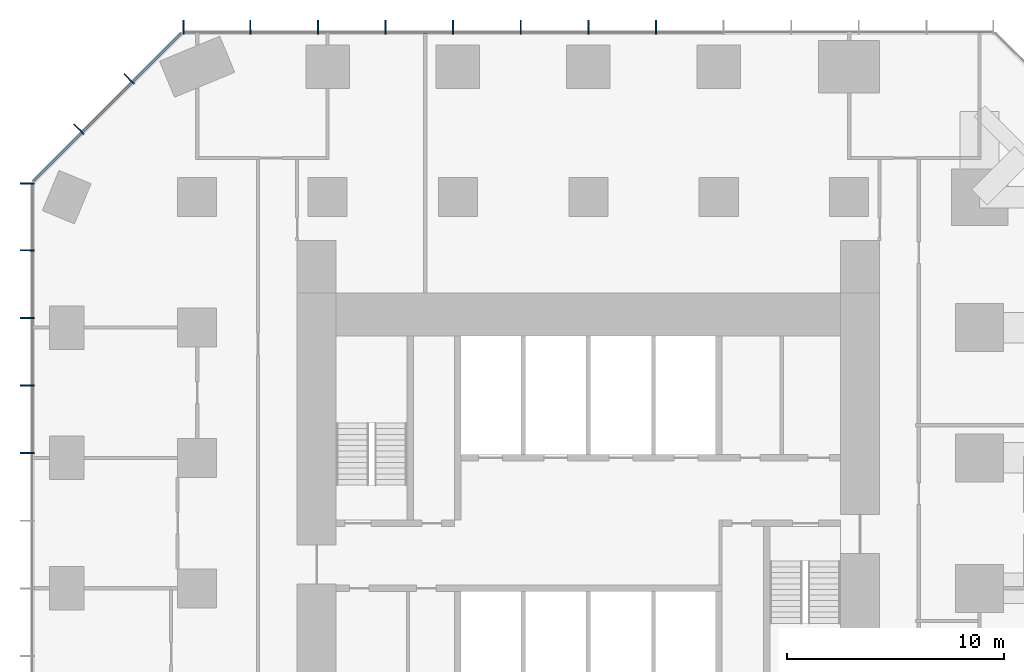
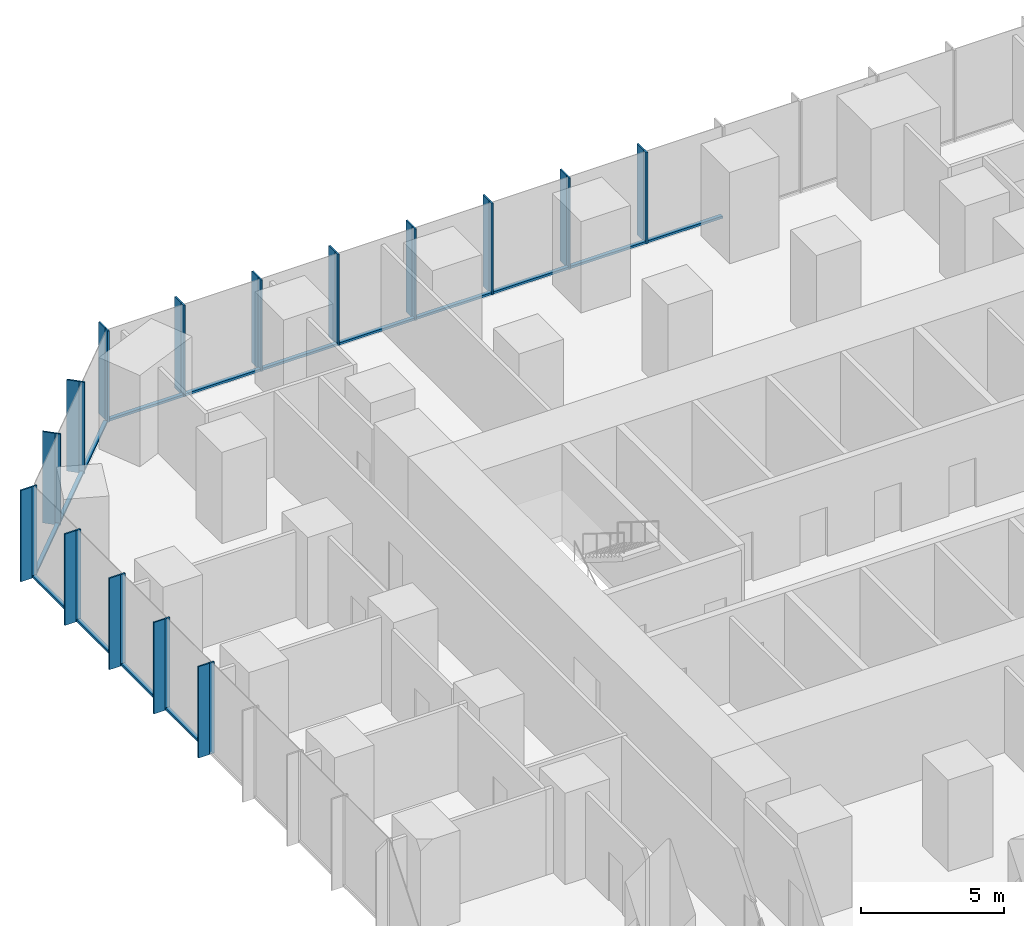
# One storey, part 5 of 12: 45 members, 3 elements without a shape of their own.
"""IFC4 building model written with IfcOpenShell, lengths in metres."""

from ifc_helpers import new_model, si_unit, direction, frame, origin, origin_2d, place, context, subcontext, project, spatial, rectangle, extrude, material, layer, layer_set, material_profile, profile_set, type_object, element, aggregate, save


model = new_model("IFC4")

# Units and contexts
model_context = context("Model", 3, precision=1e-05, world=origin(), true_north=direction((0.0, 1.0)))
body_context = subcontext(model_context, "Body", "Model", "MODEL_VIEW")
ifc_project = project(units=[si_unit("LENGTHUNIT", "METRE"), si_unit("AREAUNIT", "SQUARE_METRE"), si_unit("VOLUMEUNIT", "CUBIC_METRE"), si_unit("PLANEANGLEUNIT", "RADIAN"), si_unit("MASSUNIT", "GRAM", prefix="KILO")], contexts=[model_context])

# Site, building, storey
site_placement = place(None, origin())
site = spatial("IfcSite", under=ifc_project, at=site_placement, CompositionType="ELEMENT")
building_placement = place(site_placement, origin())
building = spatial("IfcBuilding", under=site, at=building_placement, Name="Highveld Stack Headquarters", CompositionType="ELEMENT")
storey_placement = place(building_placement, frame((0.0, 0.0, 57.199951171875)))
storey = spatial("IfcBuildingStorey", under=building, at=storey_placement, Name="L13", CompositionType="ELEMENT", Elevation=57.199951171875)

# Curtain wall, members
ifc_material_1 = material(Name="Aluminium bronze anodised", Category="aluminium")
ifc_layer_1 = layer(ifc_material_1, 0.199951171875)
ifc_layer_set_1 = layer_set([ifc_layer_1], Name="Aluminium bronze anodised")
curtain_wall_type_1 = type_object("IfcCurtainWallType", Name="CW1 TOWER UNITISED CURTAIN WALL", PredefinedType="NOTDEFINED", material=ifc_layer_set_1)
curtain_wall_1_placement = place(storey_placement, origin())
curtain_wall_1 = element("IfcCurtainWall", 1, at=curtain_wall_1_placement, inside=storey, type_object=curtain_wall_type_1, Name="Curtain wall CW1 L13 N", PredefinedType="NOTDEFINED")
ifc_material_2 = material(Name="Aluminium bronze anodised", Category="aluminium")
ifc_material_profile_1 = material_profile(ifc_material_2, rectangle(XDim=0.449951171875, YDim=0.06005859375, at=origin_2d()), Name="FIN 450x60")
ifc_profile_set_1 = profile_set([ifc_material_profile_1], Name="Aluminium bronze anodised")
member_type_1 = type_object("IfcMemberType", Name="CW1 BRONZE FIN 450x60", PredefinedType="USERDEFINED", material=ifc_profile_set_1)
member_1_placement = place(storey_placement, frame((9.110595703125, 25.925048828125, 0.0), z_axis=(0.0, 0.0, 1.0), x_axis=(0.0, -1.0, 0.0)))
member_1 = element("IfcMember", 2, at=member_1_placement, type_object=member_type_1, Name="CW1 fin L13 6", ObjectType="FIN", PredefinedType="USERDEFINED", context=body_context, shape_type="SweptSolid", body=[
    extrude(rectangle(XDim=0.449951171875, YDim=0.06005859375, at=origin_2d()), origin(), (0.0, 0.0, 1.0), 3.900146484375),
])
member_2_placement = place(storey_placement, frame((6.0, 25.925048828125, 0.0), z_axis=(0.0, 0.0, 1.0), x_axis=(0.0, -1.0, 0.0)))
member_2 = element("IfcMember", 3, at=member_2_placement, type_object=member_type_1, Name="CW1 fin L13 7", ObjectType="FIN", PredefinedType="USERDEFINED", context=body_context, shape_type="SweptSolid", body=[
    extrude(rectangle(XDim=0.449951171875, YDim=0.06005859375, at=origin_2d()), origin(), (0.0, 0.0, 1.0), 3.900146484375),
])
member_3_placement = place(storey_placement, frame((2.889404296875, 25.925048828125, 0.0), z_axis=(0.0, 0.0, 1.0), x_axis=(0.0, -1.0, 0.0)))
member_3 = element("IfcMember", 4, at=member_3_placement, type_object=member_type_1, Name="CW1 fin L13 8", ObjectType="FIN", PredefinedType="USERDEFINED", context=body_context, shape_type="SweptSolid", body=[
    extrude(rectangle(XDim=0.449951171875, YDim=0.06005859375, at=origin_2d()), origin(), (0.0, 0.0, 1.0), 3.900146484375),
])
member_4_placement = place(storey_placement, frame((-0.220947265625, 25.925048828125, 0.0), z_axis=(0.0, 0.0, 1.0), x_axis=(0.0, -1.0, 0.0)))
member_4 = element("IfcMember", 5, at=member_4_placement, type_object=member_type_1, Name="CW1 fin L13 9", ObjectType="FIN", PredefinedType="USERDEFINED", context=body_context, shape_type="SweptSolid", body=[
    extrude(rectangle(XDim=0.449951171875, YDim=0.06005859375, at=origin_2d()), origin(), (0.0, 0.0, 1.0), 3.900146484375),
])
member_5_placement = place(storey_placement, frame((-3.331298828125, 25.925048828125, 0.0), z_axis=(0.0, 0.0, 1.0), x_axis=(0.0, -1.0, 0.0)))
member_5 = element("IfcMember", 6, at=member_5_placement, type_object=member_type_1, Name="CW1 fin L13 10", ObjectType="FIN", PredefinedType="USERDEFINED", context=body_context, shape_type="SweptSolid", body=[
    extrude(rectangle(XDim=0.449951171875, YDim=0.06005859375, at=origin_2d()), origin(), (0.0, 0.0, 1.0), 3.900146484375),
])
member_6_placement = place(storey_placement, frame((-6.44189453125, 25.925048828125, 0.0), z_axis=(0.0, 0.0, 1.0), x_axis=(0.0, -1.0, 0.0)))
member_6 = element("IfcMember", 7, at=member_6_placement, type_object=member_type_1, Name="CW1 fin L13 11", ObjectType="FIN", PredefinedType="USERDEFINED", context=body_context, shape_type="SweptSolid", body=[
    extrude(rectangle(XDim=0.449951171875, YDim=0.06005859375, at=origin_2d()), origin(), (0.0, 0.0, 1.0), 3.900146484375),
])
member_7_placement = place(storey_placement, frame((-9.55224609375, 25.925048828125, 0.0), z_axis=(0.0, 0.0, 1.0), x_axis=(0.0, -1.0, 0.0)))
member_7 = element("IfcMember", 8, at=member_7_placement, type_object=member_type_1, Name="CW1 fin L13 12", ObjectType="FIN", PredefinedType="USERDEFINED", context=body_context, shape_type="SweptSolid", body=[
    extrude(rectangle(XDim=0.449951171875, YDim=0.06005859375, at=origin_2d()), origin(), (0.0, 0.0, 1.0), 3.900146484375),
])
member_8_placement = place(storey_placement, frame((-12.630126953125, 25.925048828125, 0.0), z_axis=(0.0, 0.0, 1.0), x_axis=(0.0, -1.0, 0.0)))
member_8 = element("IfcMember", 9, at=member_8_placement, type_object=member_type_1, Name="CW1 fin L13 13", ObjectType="FIN", PredefinedType="USERDEFINED", context=body_context, shape_type="SweptSolid", body=[
    extrude(rectangle(XDim=0.449951171875, YDim=0.06005859375, at=origin_2d()), origin(), (0.0, 0.0, 1.0), 3.900146484375),
])

curtain_wall_2_placement = place(storey_placement, origin())
curtain_wall_2 = element("IfcCurtainWall", 10, at=curtain_wall_2_placement, inside=storey, type_object=curtain_wall_type_1, Name="Curtain wall CW1 L13 W", PredefinedType="NOTDEFINED")
member_9_placement = place(storey_placement, frame((-19.925048828125, 18.630126953125, 0.0), z_axis=(0.0, 0.0, 1.0), x_axis=(1.0, 0.0, 0.0)))
member_9 = element("IfcMember", 11, at=member_9_placement, type_object=member_type_1, Name="CW1 fin L13 1", ObjectType="FIN", PredefinedType="USERDEFINED", context=body_context, shape_type="SweptSolid", body=[
    extrude(rectangle(XDim=0.449951171875, YDim=0.06005859375, at=origin_2d()), origin(), (0.0, 0.0, 1.0), 3.900146484375),
])
member_10_placement = place(storey_placement, frame((-19.925048828125, 15.55224609375, 0.0), z_axis=(0.0, 0.0, 1.0), x_axis=(1.0, 0.0, 0.0)))
member_10 = element("IfcMember", 12, at=member_10_placement, type_object=member_type_1, Name="CW1 fin L13 2", ObjectType="FIN", PredefinedType="USERDEFINED", context=body_context, shape_type="SweptSolid", body=[
    extrude(rectangle(XDim=0.449951171875, YDim=0.06005859375, at=origin_2d()), origin(), (0.0, 0.0, 1.0), 3.900146484375),
])
member_11_placement = place(storey_placement, frame((-19.925048828125, 12.44189453125, 0.0), z_axis=(0.0, 0.0, 1.0), x_axis=(1.0, 0.0, 0.0)))
member_11 = element("IfcMember", 13, at=member_11_placement, type_object=member_type_1, Name="CW1 fin L13 3", ObjectType="FIN", PredefinedType="USERDEFINED", context=body_context, shape_type="SweptSolid", body=[
    extrude(rectangle(XDim=0.449951171875, YDim=0.06005859375, at=origin_2d()), origin(), (0.0, 0.0, 1.0), 3.900146484375),
])
member_12_placement = place(storey_placement, frame((-19.925048828125, 9.331298828125, 0.0), z_axis=(0.0, 0.0, 1.0), x_axis=(1.0, 0.0, 0.0)))
member_12 = element("IfcMember", 14, at=member_12_placement, type_object=member_type_1, Name="CW1 fin L13 4", ObjectType="FIN", PredefinedType="USERDEFINED", context=body_context, shape_type="SweptSolid", body=[
    extrude(rectangle(XDim=0.449951171875, YDim=0.06005859375, at=origin_2d()), origin(), (0.0, 0.0, 1.0), 3.900146484375),
])
member_13_placement = place(storey_placement, frame((-19.925048828125, 6.220947265625, 0.0), z_axis=(0.0, 0.0, 1.0), x_axis=(1.0, 0.0, 0.0)))
member_13 = element("IfcMember", 15, at=member_13_placement, type_object=member_type_1, Name="CW1 fin L13 5", ObjectType="FIN", PredefinedType="USERDEFINED", context=body_context, shape_type="SweptSolid", body=[
    extrude(rectangle(XDim=0.449951171875, YDim=0.06005859375, at=origin_2d()), origin(), (0.0, 0.0, 1.0), 3.900146484375),
])

# Member
ifc_material_3 = material(Name="Aluminium bronze anodised", Category="aluminium")
ifc_material_profile_2 = material_profile(ifc_material_3, rectangle(XDim=0.199951171875, YDim=0.06494140625, at=origin_2d()), Name="CW1 MULLION 65x200")
ifc_profile_set_2 = profile_set([ifc_material_profile_2], Name="Aluminium bronze anodised")
member_type_2 = type_object("IfcMemberType", Name="CW1 MULLION 65x200", PredefinedType="MULLION", material=ifc_profile_set_2)
member_14_placement = place(storey_placement, frame((9.110595703125, 25.60009765625, 0.0), z_axis=(0.0, 0.0, 1.0), x_axis=(0.0, -1.0, 0.0)))
member_14 = element("IfcMember", 16, at=member_14_placement, type_object=member_type_2, Name="CW1 mullion L13 6", PredefinedType="MULLION", context=body_context, shape_type="SweptSolid", body=[
    extrude(rectangle(XDim=0.199951171875, YDim=0.06494140625, at=origin_2d()), origin(), (0.0, 0.0, 1.0), 3.900146484375),
])

member_15_placement = place(storey_placement, frame((6.0, 25.60009765625, 0.0), z_axis=(0.0, 0.0, 1.0), x_axis=(0.0, -1.0, 0.0)))
member_15 = element("IfcMember", 17, at=member_15_placement, type_object=member_type_2, Name="CW1 mullion L13 7", PredefinedType="MULLION", context=body_context, shape_type="SweptSolid", body=[
    extrude(rectangle(XDim=0.199951171875, YDim=0.06494140625, at=origin_2d()), origin(), (0.0, 0.0, 1.0), 3.900146484375),
])

member_16_placement = place(storey_placement, frame((2.889404296875, 25.60009765625, 0.0), z_axis=(0.0, 0.0, 1.0), x_axis=(0.0, -1.0, 0.0)))
member_16 = element("IfcMember", 18, at=member_16_placement, type_object=member_type_2, Name="CW1 mullion L13 8", PredefinedType="MULLION", context=body_context, shape_type="SweptSolid", body=[
    extrude(rectangle(XDim=0.199951171875, YDim=0.06494140625, at=origin_2d()), origin(), (0.0, 0.0, 1.0), 3.900146484375),
])

member_17_placement = place(storey_placement, frame((-0.220947265625, 25.60009765625, 0.0), z_axis=(0.0, 0.0, 1.0), x_axis=(0.0, -1.0, 0.0)))
member_17 = element("IfcMember", 19, at=member_17_placement, type_object=member_type_2, Name="CW1 mullion L13 9", PredefinedType="MULLION", context=body_context, shape_type="SweptSolid", body=[
    extrude(rectangle(XDim=0.199951171875, YDim=0.06494140625, at=origin_2d()), origin(), (0.0, 0.0, 1.0), 3.900146484375),
])

member_18_placement = place(storey_placement, frame((-3.331298828125, 25.60009765625, 0.0), z_axis=(0.0, 0.0, 1.0), x_axis=(0.0, -1.0, 0.0)))
member_18 = element("IfcMember", 20, at=member_18_placement, type_object=member_type_2, Name="CW1 mullion L13 10", PredefinedType="MULLION", context=body_context, shape_type="SweptSolid", body=[
    extrude(rectangle(XDim=0.199951171875, YDim=0.06494140625, at=origin_2d()), origin(), (0.0, 0.0, 1.0), 3.900146484375),
])

member_19_placement = place(storey_placement, frame((-6.44189453125, 25.60009765625, 0.0), z_axis=(0.0, 0.0, 1.0), x_axis=(0.0, -1.0, 0.0)))
member_19 = element("IfcMember", 21, at=member_19_placement, type_object=member_type_2, Name="CW1 mullion L13 11", PredefinedType="MULLION", context=body_context, shape_type="SweptSolid", body=[
    extrude(rectangle(XDim=0.199951171875, YDim=0.06494140625, at=origin_2d()), origin(), (0.0, 0.0, 1.0), 3.900146484375),
])

member_20_placement = place(storey_placement, frame((-9.55224609375, 25.60009765625, 0.0), z_axis=(0.0, 0.0, 1.0), x_axis=(0.0, -1.0, 0.0)))
member_20 = element("IfcMember", 22, at=member_20_placement, type_object=member_type_2, Name="CW1 mullion L13 12", PredefinedType="MULLION", context=body_context, shape_type="SweptSolid", body=[
    extrude(rectangle(XDim=0.199951171875, YDim=0.06494140625, at=origin_2d()), origin(), (0.0, 0.0, 1.0), 3.900146484375),
])

member_21_placement = place(storey_placement, frame((-12.630126953125, 25.60009765625, 0.0), z_axis=(0.0, 0.0, 1.0), x_axis=(0.0, -1.0, 0.0)))
member_21 = element("IfcMember", 23, at=member_21_placement, type_object=member_type_2, Name="CW1 mullion L13 13", PredefinedType="MULLION", context=body_context, shape_type="SweptSolid", body=[
    extrude(rectangle(XDim=0.199951171875, YDim=0.06494140625, at=origin_2d()), origin(), (0.0, 0.0, 1.0), 3.900146484375),
])

member_22_placement = place(storey_placement, frame((-19.60009765625, 18.630126953125, 0.0), z_axis=(0.0, 0.0, 1.0), x_axis=(1.0, 0.0, 0.0)))
member_22 = element("IfcMember", 24, at=member_22_placement, type_object=member_type_2, Name="CW1 mullion L13 1", PredefinedType="MULLION", context=body_context, shape_type="SweptSolid", body=[
    extrude(rectangle(XDim=0.199951171875, YDim=0.06494140625, at=origin_2d()), origin(), (0.0, 0.0, 1.0), 3.900146484375),
])

member_23_placement = place(storey_placement, frame((-19.60009765625, 15.55224609375, 0.0), z_axis=(0.0, 0.0, 1.0), x_axis=(1.0, 0.0, 0.0)))
member_23 = element("IfcMember", 25, at=member_23_placement, type_object=member_type_2, Name="CW1 mullion L13 2", PredefinedType="MULLION", context=body_context, shape_type="SweptSolid", body=[
    extrude(rectangle(XDim=0.199951171875, YDim=0.06494140625, at=origin_2d()), origin(), (0.0, 0.0, 1.0), 3.900146484375),
])

member_24_placement = place(storey_placement, frame((-19.60009765625, 12.44189453125, 0.0), z_axis=(0.0, 0.0, 1.0), x_axis=(1.0, 0.0, 0.0)))
member_24 = element("IfcMember", 26, at=member_24_placement, type_object=member_type_2, Name="CW1 mullion L13 3", PredefinedType="MULLION", context=body_context, shape_type="SweptSolid", body=[
    extrude(rectangle(XDim=0.199951171875, YDim=0.06494140625, at=origin_2d()), origin(), (0.0, 0.0, 1.0), 3.900146484375),
])

member_25_placement = place(storey_placement, frame((-19.60009765625, 9.331298828125, 0.0), z_axis=(0.0, 0.0, 1.0), x_axis=(1.0, 0.0, 0.0)))
member_25 = element("IfcMember", 27, at=member_25_placement, type_object=member_type_2, Name="CW1 mullion L13 4", PredefinedType="MULLION", context=body_context, shape_type="SweptSolid", body=[
    extrude(rectangle(XDim=0.199951171875, YDim=0.06494140625, at=origin_2d()), origin(), (0.0, 0.0, 1.0), 3.900146484375),
])

member_26_placement = place(storey_placement, frame((-19.60009765625, 6.220947265625, 0.0), z_axis=(0.0, 0.0, 1.0), x_axis=(1.0, 0.0, 0.0)))
member_26 = element("IfcMember", 28, at=member_26_placement, type_object=member_type_2, Name="CW1 mullion L13 5", PredefinedType="MULLION", context=body_context, shape_type="SweptSolid", body=[
    extrude(rectangle(XDim=0.199951171875, YDim=0.06494140625, at=origin_2d()), origin(), (0.0, 0.0, 1.0), 3.900146484375),
])

ifc_material_4 = material(Name="Aluminium bronze anodised", Category="aluminium")
ifc_material_profile_3 = material_profile(ifc_material_4, rectangle(XDim=0.14990234375, YDim=0.10009765625, at=origin_2d()), Name="CW1 TRANSOM 150x100")
ifc_profile_set_3 = profile_set([ifc_material_profile_3], Name="Aluminium bronze anodised")
member_type_3 = type_object("IfcMemberType", Name="CW1 STACK TRANSOM 150x100", PredefinedType="USERDEFINED", material=ifc_profile_set_3)
member_27_placement = place(storey_placement, frame((12.1884765625, 25.60009765625, 0.050048828125), z_axis=(-1.0, 0.0, 0.0), x_axis=(0.0, -1.0, 0.0)))
member_27 = element("IfcMember", 29, at=member_27_placement, type_object=member_type_3, Name="CW1 transom L13 5.1", ObjectType="TRANSOM", PredefinedType="USERDEFINED", context=body_context, shape_type="SweptSolid", body=[
    extrude(rectangle(XDim=0.14990234375, YDim=0.10009765625, at=origin_2d()), origin(), (0.0, 0.0, 1.0), 3.04541015625),
])

member_28_placement = place(storey_placement, frame((9.077880859375, 25.60009765625, 0.050048828125), z_axis=(-1.0, 0.0, 0.0), x_axis=(0.0, -1.0, 0.0)))
member_28 = element("IfcMember", 30, at=member_28_placement, type_object=member_type_3, Name="CW1 transom L13 6.1", ObjectType="TRANSOM", PredefinedType="USERDEFINED", context=body_context, shape_type="SweptSolid", body=[
    extrude(rectangle(XDim=0.14990234375, YDim=0.10009765625, at=origin_2d()), origin(), (0.0, 0.0, 1.0), 3.04541015625),
])

member_29_placement = place(storey_placement, frame((5.967529296875, 25.60009765625, 0.050048828125), z_axis=(-1.0, 0.0, 0.0), x_axis=(0.0, -1.0, 0.0)))
member_29 = element("IfcMember", 31, at=member_29_placement, type_object=member_type_3, Name="CW1 transom L13 7.1", ObjectType="TRANSOM", PredefinedType="USERDEFINED", context=body_context, shape_type="SweptSolid", body=[
    extrude(rectangle(XDim=0.14990234375, YDim=0.10009765625, at=origin_2d()), origin(), (0.0, 0.0, 1.0), 3.04541015625),
])

member_30_placement = place(storey_placement, frame((2.857177734375, 25.60009765625, 0.050048828125), z_axis=(-1.0, 0.0, 0.0), x_axis=(0.0, -1.0, 0.0)))
member_30 = element("IfcMember", 32, at=member_30_placement, type_object=member_type_3, Name="CW1 transom L13 8.1", ObjectType="TRANSOM", PredefinedType="USERDEFINED", context=body_context, shape_type="SweptSolid", body=[
    extrude(rectangle(XDim=0.14990234375, YDim=0.10009765625, at=origin_2d()), origin(), (0.0, 0.0, 1.0), 3.045654296875),
])

member_31_placement = place(storey_placement, frame((-0.25341796875, 25.60009765625, 0.050048828125), z_axis=(-1.0, 0.0, 0.0), x_axis=(0.0, -1.0, 0.0)))
member_31 = element("IfcMember", 33, at=member_31_placement, type_object=member_type_3, Name="CW1 transom L13 9.1", ObjectType="TRANSOM", PredefinedType="USERDEFINED", context=body_context, shape_type="SweptSolid", body=[
    extrude(rectangle(XDim=0.14990234375, YDim=0.10009765625, at=origin_2d()), origin(), (0.0, 0.0, 1.0), 3.04541015625),
])

member_32_placement = place(storey_placement, frame((-3.36376953125, 25.60009765625, 0.050048828125), z_axis=(-1.0, 0.0, 0.0), x_axis=(0.0, -1.0, 0.0)))
member_32 = element("IfcMember", 34, at=member_32_placement, type_object=member_type_3, Name="CW1 transom L13 10.1", ObjectType="TRANSOM", PredefinedType="USERDEFINED", context=body_context, shape_type="SweptSolid", body=[
    extrude(rectangle(XDim=0.14990234375, YDim=0.10009765625, at=origin_2d()), origin(), (0.0, 0.0, 1.0), 3.04541015625),
])

member_33_placement = place(storey_placement, frame((-6.474365234375, 25.60009765625, 0.050048828125), z_axis=(-1.0, 0.0, 0.0), x_axis=(0.0, -1.0, 0.0)))
member_33 = element("IfcMember", 35, at=member_33_placement, type_object=member_type_3, Name="CW1 transom L13 11.1", ObjectType="TRANSOM", PredefinedType="USERDEFINED", context=body_context, shape_type="SweptSolid", body=[
    extrude(rectangle(XDim=0.14990234375, YDim=0.10009765625, at=origin_2d()), origin(), (0.0, 0.0, 1.0), 3.04541015625),
])

member_34_placement = place(storey_placement, frame((-9.584716796875, 25.60009765625, 0.050048828125), z_axis=(-1.0, 0.0, 0.0), x_axis=(0.0, -1.0, 0.0)))
member_34 = element("IfcMember", 36, at=member_34_placement, type_object=member_type_3, Name="CW1 transom L13 12.1", ObjectType="TRANSOM", PredefinedType="USERDEFINED", context=body_context, shape_type="SweptSolid", body=[
    extrude(rectangle(XDim=0.14990234375, YDim=0.10009765625, at=origin_2d()), origin(), (0.0, 0.0, 1.0), 3.012939453125),
])

aggregate(curtain_wall_1, [member_14, member_1, member_15, member_2, member_16, member_3, member_17, member_4, member_18, member_5, member_19, member_6, member_20, member_7, member_21, member_8, member_27, member_28, member_29, member_30, member_31, member_32, member_33, member_34])

member_35_placement = place(storey_placement, frame((-19.60009765625, 18.59765625, 0.050048828125), z_axis=(0.0, -1.0, 0.0), x_axis=(1.0, 0.0, 0.0)))
member_35 = element("IfcMember", 37, at=member_35_placement, type_object=member_type_3, Name="CW1 transom L13 1.1", ObjectType="TRANSOM", PredefinedType="USERDEFINED", context=body_context, shape_type="SweptSolid", body=[
    extrude(rectangle(XDim=0.14990234375, YDim=0.10009765625, at=origin_2d()), origin(), (0.0, 0.0, 1.0), 3.012939453125),
])

member_36_placement = place(storey_placement, frame((-19.60009765625, 15.519775390625, 0.050048828125), z_axis=(0.0, -1.0, 0.0), x_axis=(1.0, 0.0, 0.0)))
member_36 = element("IfcMember", 38, at=member_36_placement, type_object=member_type_3, Name="CW1 transom L13 2.1", ObjectType="TRANSOM", PredefinedType="USERDEFINED", context=body_context, shape_type="SweptSolid", body=[
    extrude(rectangle(XDim=0.14990234375, YDim=0.10009765625, at=origin_2d()), origin(), (0.0, 0.0, 1.0), 3.04541015625),
])

member_37_placement = place(storey_placement, frame((-19.60009765625, 12.4091796875, 0.050048828125), z_axis=(0.0, -1.0, 0.0), x_axis=(1.0, 0.0, 0.0)))
member_37 = element("IfcMember", 39, at=member_37_placement, type_object=member_type_3, Name="CW1 transom L13 3.1", ObjectType="TRANSOM", PredefinedType="USERDEFINED", context=body_context, shape_type="SweptSolid", body=[
    extrude(rectangle(XDim=0.14990234375, YDim=0.10009765625, at=origin_2d()), origin(), (0.0, 0.0, 1.0), 3.045166015625),
])

member_38_placement = place(storey_placement, frame((-19.60009765625, 9.298828125, 0.050048828125), z_axis=(0.0, -1.0, 0.0), x_axis=(1.0, 0.0, 0.0)))
member_38 = element("IfcMember", 40, at=member_38_placement, type_object=member_type_3, Name="CW1 transom L13 4.1", ObjectType="TRANSOM", PredefinedType="USERDEFINED", context=body_context, shape_type="SweptSolid", body=[
    extrude(rectangle(XDim=0.14990234375, YDim=0.10009765625, at=origin_2d()), origin(), (0.0, 0.0, 1.0), 3.04541015625),
])

aggregate(curtain_wall_2, [member_22, member_9, member_23, member_10, member_24, member_11, member_25, member_12, member_26, member_13, member_35, member_36, member_37, member_38])

# Curtain wall, members
ifc_material_5 = material(Name="Aluminium bronze anodised", Category="aluminium")
ifc_layer_2 = layer(ifc_material_5, 0.199951171875)
ifc_layer_set_2 = layer_set([ifc_layer_2], Name="Aluminium bronze anodised")
curtain_wall_type_2 = type_object("IfcCurtainWallType", Name="CW2 TOWER CHAMFER UNITISED CURTAIN WALL", PredefinedType="NOTDEFINED", material=ifc_layer_set_2)
curtain_wall_3_placement = place(storey_placement, origin())
curtain_wall_3 = element("IfcCurtainWall", 41, at=curtain_wall_3_placement, inside=storey, type_object=curtain_wall_type_2, Name="Curtain wall CW2 L13 NW", PredefinedType="NOTDEFINED")
ifc_material_6 = material(Name="Aluminium bronze anodised", Category="aluminium")
ifc_material_profile_4 = material_profile(ifc_material_6, rectangle(XDim=0.449951171875, YDim=0.06005859375, at=origin_2d()), Name="FIN 450x60")
ifc_profile_set_4 = profile_set([ifc_material_profile_4], Name="Aluminium bronze anodised")
member_type_4 = type_object("IfcMemberType", Name="CW2 BRONZE FIN 450x60", PredefinedType="USERDEFINED", material=ifc_profile_set_4)
member_39_placement = place(storey_placement, frame((-15.204833984375, 23.517333984375, 0.0), z_axis=(0.0, 0.0, 1.0), x_axis=(0.707106781187, -0.707106781187, 0.0)))
member_39 = element("IfcMember", 42, at=member_39_placement, type_object=member_type_4, Name="CW2 fin L13 1", ObjectType="FIN", PredefinedType="USERDEFINED", context=body_context, shape_type="SweptSolid", body=[
    extrude(rectangle(XDim=0.449951171875, YDim=0.06005859375, at=origin_2d()), origin(), (0.0, 0.0, 1.0), 3.900146484375),
])
member_40_placement = place(storey_placement, frame((-17.517333984375, 21.204833984375, 0.0), z_axis=(0.0, 0.0, 1.0), x_axis=(0.707106781187, -0.707106781187, 0.0)))
member_40 = element("IfcMember", 43, at=member_40_placement, type_object=member_type_4, Name="CW2 fin L13 2", ObjectType="FIN", PredefinedType="USERDEFINED", context=body_context, shape_type="SweptSolid", body=[
    extrude(rectangle(XDim=0.449951171875, YDim=0.06005859375, at=origin_2d()), origin(), (0.0, 0.0, 1.0), 3.900146484375),
])
ifc_material_7 = material(Name="Aluminium bronze anodised", Category="aluminium")
ifc_material_profile_5 = material_profile(ifc_material_7, rectangle(XDim=0.199951171875, YDim=0.06494140625, at=origin_2d()), Name="CW2 MULLION 65x200")
ifc_profile_set_5 = profile_set([ifc_material_profile_5], Name="Aluminium bronze anodised")
member_type_5 = type_object("IfcMemberType", Name="CW2 MULLION 65x200", PredefinedType="MULLION", material=ifc_profile_set_5)
member_41_placement = place(storey_placement, frame((-14.97509765625, 23.28759765625, 0.0), z_axis=(0.0, 0.0, 1.0), x_axis=(0.707106781187, -0.707106781187, 0.0)))
member_41 = element("IfcMember", 44, at=member_41_placement, type_object=member_type_5, Name="CW2 mullion L13 1", PredefinedType="MULLION", context=body_context, shape_type="SweptSolid", body=[
    extrude(rectangle(XDim=0.199951171875, YDim=0.06494140625, at=origin_2d()), origin(), (0.0, 0.0, 1.0), 3.900146484375),
])
member_42_placement = place(storey_placement, frame((-17.28759765625, 20.97509765625, 0.0), z_axis=(0.0, 0.0, 1.0), x_axis=(0.707106781187, -0.707106781187, 0.0)))
member_42 = element("IfcMember", 45, at=member_42_placement, type_object=member_type_5, Name="CW2 mullion L13 2", PredefinedType="MULLION", context=body_context, shape_type="SweptSolid", body=[
    extrude(rectangle(XDim=0.199951171875, YDim=0.06494140625, at=origin_2d()), origin(), (0.0, 0.0, 1.0), 3.900146484375),
])
ifc_material_8 = material(Name="Aluminium bronze anodised", Category="aluminium")
ifc_material_profile_6 = material_profile(ifc_material_8, rectangle(XDim=0.14990234375, YDim=0.10009765625, at=origin_2d()), Name="CW2 TRANSOM 150x100")
ifc_profile_set_6 = profile_set([ifc_material_profile_6], Name="Aluminium bronze anodised")
member_type_6 = type_object("IfcMemberType", Name="CW2 STACK TRANSOM 150x100", PredefinedType="USERDEFINED", material=ifc_profile_set_6)
member_43_placement = place(storey_placement, frame((-12.7333984375, 25.529296875, 0.050048828125), z_axis=(-0.707106781187, -0.707106781187, 0.0), x_axis=(0.707106781187, -0.707106781187, 0.0)))
member_43 = element("IfcMember", 46, at=member_43_placement, type_object=member_type_6, Name="CW2 transom L13 1.1", ObjectType="TRANSOM", PredefinedType="USERDEFINED", context=body_context, shape_type="SweptSolid", body=[
    extrude(rectangle(XDim=0.14990234375, YDim=0.10009765625, at=origin_2d()), origin(), (0.0, 0.0, 1.0), 3.1376953125),
])
member_44_placement = place(storey_placement, frame((-14.998046875, 23.2646484375, 0.050048828125), z_axis=(-0.707106781187, -0.707106781187, 0.0), x_axis=(0.707106781187, -0.707106781187, 0.0)))
member_44 = element("IfcMember", 47, at=member_44_placement, type_object=member_type_6, Name="CW2 transom L13 2.1", ObjectType="TRANSOM", PredefinedType="USERDEFINED", context=body_context, shape_type="SweptSolid", body=[
    extrude(rectangle(XDim=0.14990234375, YDim=0.10009765625, at=origin_2d()), origin(), (0.0, 0.0, 1.0), 3.20556640625),
])
member_45_placement = place(storey_placement, frame((-17.310546875, 20.9521484375, 0.050048828125), z_axis=(-0.707106781187, -0.707106781187, 0.0), x_axis=(0.707106781187, -0.707106781187, 0.0)))
member_45 = element("IfcMember", 48, at=member_45_placement, type_object=member_type_6, Name="CW2 transom L13 3.1", ObjectType="TRANSOM", PredefinedType="USERDEFINED", context=body_context, shape_type="SweptSolid", body=[
    extrude(rectangle(XDim=0.14990234375, YDim=0.10009765625, at=origin_2d()), origin(), (0.0, 0.0, 1.0), 3.1376953125),
])
aggregate(curtain_wall_3, [member_41, member_39, member_42, member_40, member_43, member_44, member_45])

save(model, "model.ifc")
